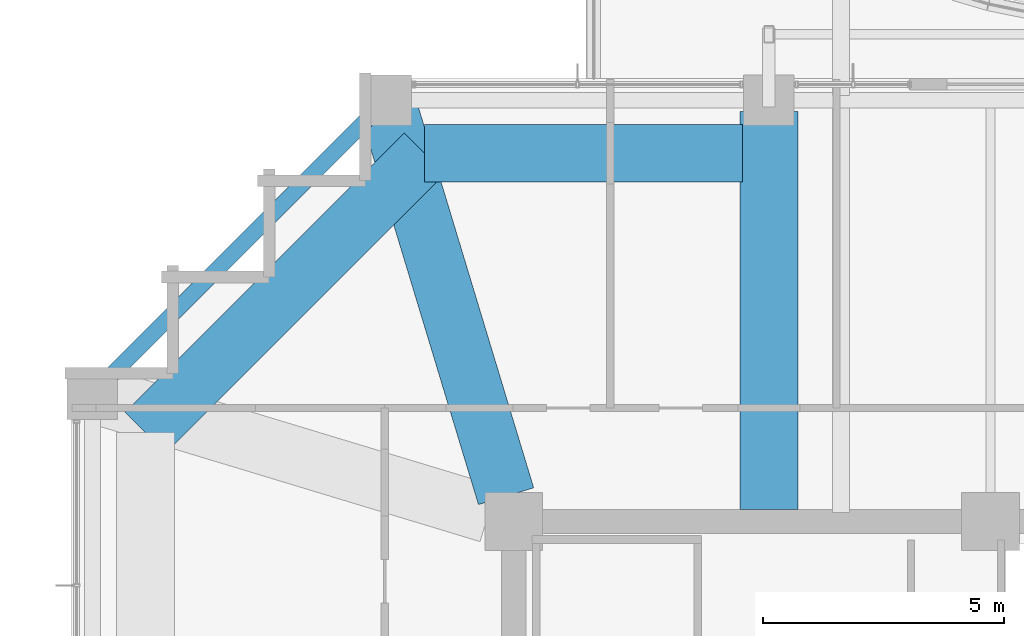
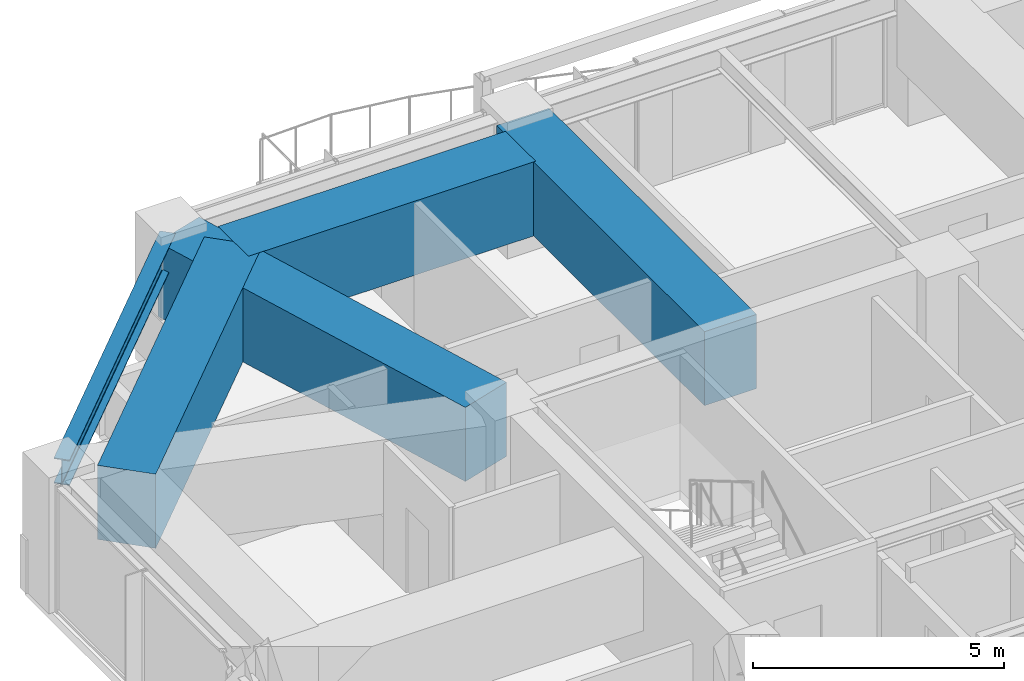
# One storey, part 14 of 28: 5 beams.
"""IFC4 building model written with IfcOpenShell, lengths in metres."""

from ifc_helpers import new_model, si_unit, direction, frame, origin, origin_2d, place, context, subcontext, project, spatial, rectangle, i_section, extrude, material, material_profile, profile_set, type_object, element, save


model = new_model("IFC4")

# Units and contexts
model_context = context("Model", 3, precision=1e-05, world=origin(), true_north=direction((0.0, 1.0)))
body_context = subcontext(model_context, "Body", "Model", "MODEL_VIEW")
ifc_project = project(units=[si_unit("LENGTHUNIT", "METRE"), si_unit("AREAUNIT", "SQUARE_METRE"), si_unit("VOLUMEUNIT", "CUBIC_METRE"), si_unit("PLANEANGLEUNIT", "RADIAN"), si_unit("MASSUNIT", "GRAM", prefix="KILO")], contexts=[model_context])

# Site, building, storey
site_placement = place(None, origin())
site = spatial("IfcSite", under=ifc_project, at=site_placement, CompositionType="ELEMENT")
building_placement = place(site_placement, origin())
building = spatial("IfcBuilding", under=site, at=building_placement, Name="Kolvaren Belvedere", CompositionType="ELEMENT")
storey_placement = place(building_placement, frame((0.0, 0.0, 125.0)))
storey = spatial("IfcBuildingStorey", under=building, at=storey_placement, Name="L36", CompositionType="ELEMENT", Elevation=125.0)

# Beams
ifc_material_1 = material(Name="Structural steel ASTM A992 Grade 50", Category="steel")
ifc_material_profile_1 = material_profile(ifc_material_1, i_section(OverallWidth=0.324951171875, OverallDepth=0.615966796875, WebThickness=0.013916015625, FlangeThickness=0.021484375, FilletRadius=0.02001953125, at=origin_2d()), Name="W24X117")
ifc_profile_set_1 = profile_set([ifc_material_profile_1], Name="Structural steel ASTM A992 Grade 50")
beam_type_1 = type_object("IfcBeamType", Name="BM-SPAN-W24X117", PredefinedType="SPANDREL", material=ifc_profile_set_1)
beam_1_placement = place(storey_placement, frame((-12.717041015625, 18.48291015625, 2.7919921875), z_axis=(-0.707106781187, -0.707106781187, 0.0), x_axis=(0.707106781187, -0.707106781187, 0.0)))
element("IfcBeam", 1, at=beam_1_placement, inside=storey, type_object=beam_type_1, Name="L36 Perimeter Spandrel N1-W4", PredefinedType="SPANDREL", context=body_context, shape_type="SweptSolid", body=[
    extrude(i_section(OverallWidth=0.324951171875, OverallDepth=0.615966796875, WebThickness=0.013916015625, FlangeThickness=0.021484375, FilletRadius=0.02001953125, at=origin_2d()), origin(), (0.0, 0.0, 1.0), 8.154052734375),
])
ifc_material_2 = material(Name="Concrete C50/60", Category="concrete")
ifc_material_profile_2 = material_profile(ifc_material_2, rectangle(XDim=1.199951171875, YDim=1.800048828125, at=origin_2d()), Name="RC 1200X1800")
ifc_profile_set_2 = profile_set([ifc_material_profile_2], Name="Concrete C50/60")
beam_type_2 = type_object("IfcBeamType", Name="BM-TG-1800", PredefinedType="BEAM", material=ifc_profile_set_2)
beam_2_placement = place(storey_placement, frame((-5.14990234375, 17.550048828125, 2.199951171875), z_axis=(-1.0, 0.0, 0.0), x_axis=(0.0, -1.0, 0.0)))
element("IfcBeam", 2, at=beam_2_placement, inside=storey, type_object=beam_type_2, Name="L36 Step Transfer Ring Girder N2-N1", PredefinedType="BEAM", context=body_context, shape_type="SweptSolid", body=[
    extrude(rectangle(XDim=1.199951171875, YDim=1.800048828125, at=origin_2d()), origin(), (0.0, 0.0, 1.0), 6.60009765625),
])
beam_3_placement = place(storey_placement, frame((-11.75, 17.550048828125, 2.199951171875), z_axis=(-0.707106781187, -0.707106781187, 0.0), x_axis=(0.707106781187, -0.707106781187, 0.0)))
element("IfcBeam", 3, at=beam_3_placement, inside=storey, type_object=beam_type_2, Name="L36 Step Transfer Ring Girder N1-W4", PredefinedType="BEAM", context=body_context, shape_type="SweptSolid", body=[
    extrude(rectangle(XDim=1.199951171875, YDim=1.800048828125, at=origin_2d()), origin(), (0.0, 0.0, 1.0), 8.202392578125),
])
beam_4_placement = place(storey_placement, frame((-4.60009765625, 10.14990234375, 2.199951171875), z_axis=(0.0, 1.0, 0.0), x_axis=(-1.0, 0.0, 0.0)))
element("IfcBeam", 4, at=beam_4_placement, inside=storey, type_object=beam_type_2, Name="L36 North Radial Girder M", PredefinedType="BEAM", context=body_context, shape_type="SweptSolid", body=[
    extrude(rectangle(XDim=1.199951171875, YDim=1.800048828125, at=origin_2d()), origin(), (0.0, 0.0, 1.0), 8.263916015625),
])
beam_5_placement = place(storey_placement, frame((-10.059326171875, 10.426513671875, 2.199951171875), z_axis=(-0.289858652454, 0.957069465398, 0.0), x_axis=(-0.957069465398, -0.289858652454, 0.0)))
element("IfcBeam", 5, at=beam_5_placement, inside=storey, type_object=beam_type_2, Name="L36 Corner Core-to-Perimeter Girder CC4-N1", PredefinedType="BEAM", context=body_context, shape_type="SweptSolid", body=[
    extrude(rectangle(XDim=1.199951171875, YDim=1.800048828125, at=origin_2d()), origin(), (0.0, 0.0, 1.0), 8.38232421875),
])

save(model, "model.ifc")
